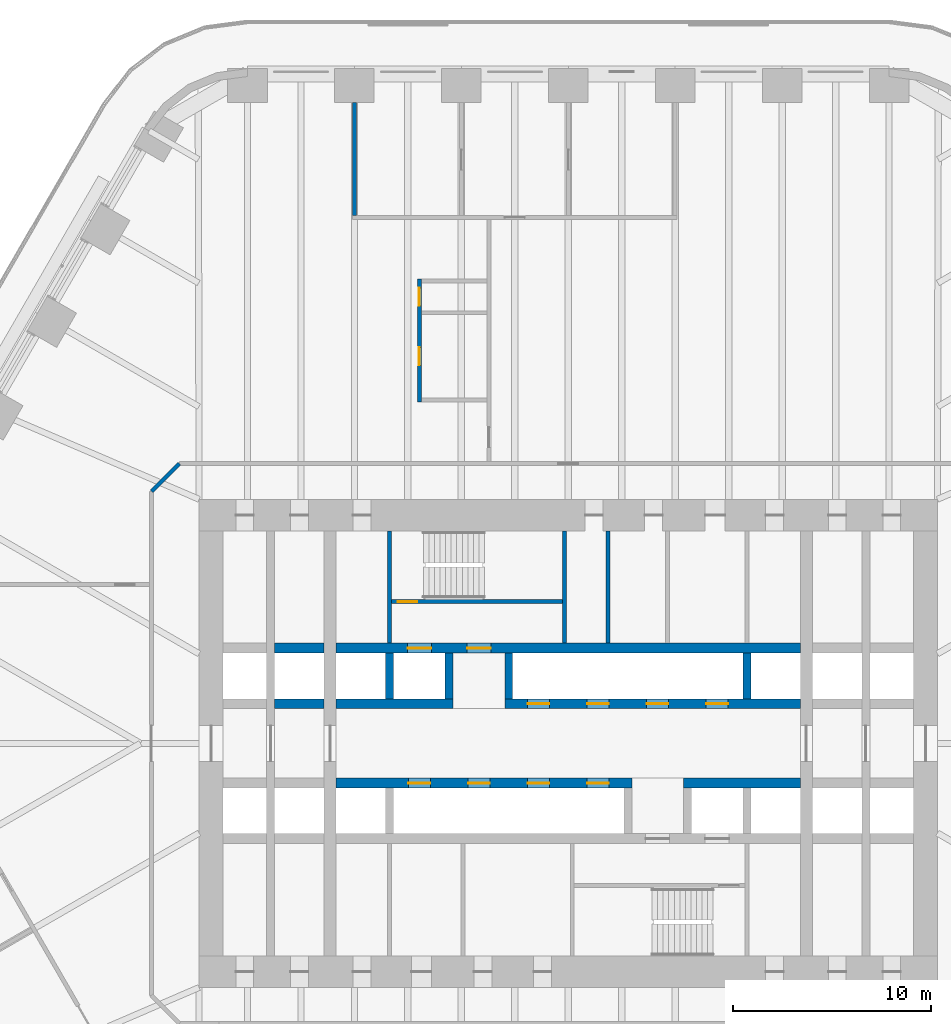
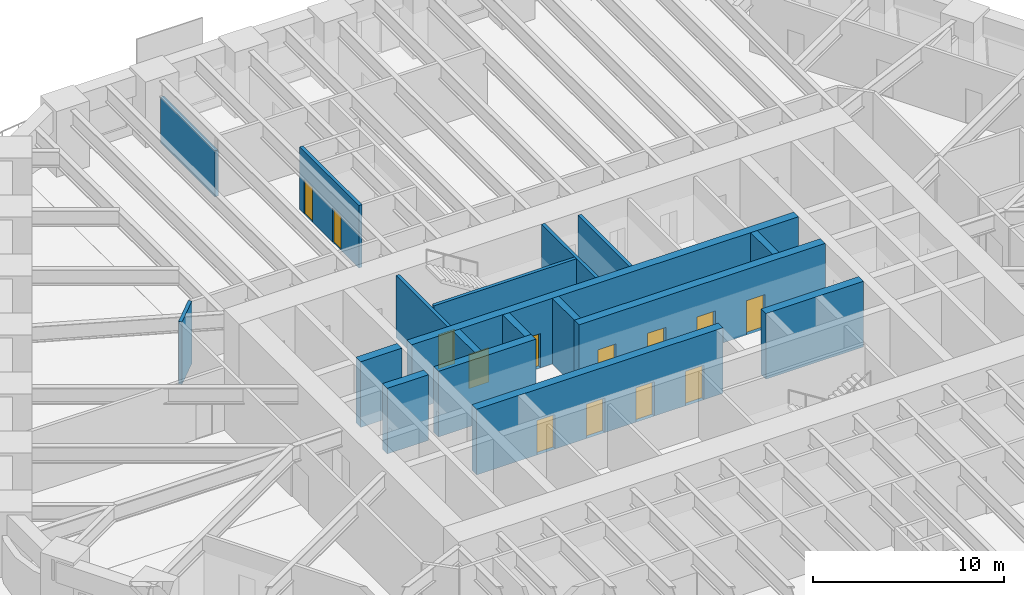
# One storey, part 18 of 24: 18 walls, 13 doors, 13 openings.
"""IFC4 building model written with IfcOpenShell, lengths in metres."""

from ifc_helpers import new_model, si_unit, direction, frame, frame_2d, origin, place, context, subcontext, project, spatial, rectangle, extrude, material, layer, layer_set, type_object, element, fill, save


model = new_model("IFC4")

# Units and contexts
model_context = context("Model", 3, precision=1e-05, world=origin(), true_north=direction((0.0, 1.0)))
body_context = subcontext(model_context, "Body", "Model", "MODEL_VIEW")
ifc_project = project(units=[si_unit("LENGTHUNIT", "METRE"), si_unit("AREAUNIT", "SQUARE_METRE"), si_unit("VOLUMEUNIT", "CUBIC_METRE"), si_unit("PLANEANGLEUNIT", "RADIAN"), si_unit("MASSUNIT", "GRAM", prefix="KILO")], contexts=[model_context])

# Site, building, storey
site_placement = place(None, origin())
site = spatial("IfcSite", under=ifc_project, at=site_placement, CompositionType="ELEMENT")
building_placement = place(site_placement, origin())
building = spatial("IfcBuilding", under=site, at=building_placement, Name="Tarfa Lantern Tower", CompositionType="ELEMENT")
storey_placement = place(building_placement, frame((0.0, 0.0, 73.89990234375)))
storey = spatial("IfcBuildingStorey", under=building, at=storey_placement, Name="L16", CompositionType="ELEMENT", Elevation=73.89990234375)

# Walls
ifc_material_1 = material(Name="Concrete blockwork", Category="masonry")
ifc_layer_1 = layer(ifc_material_1, 0.199951171875)
ifc_layer_set_1 = layer_set([ifc_layer_1], Name="IW1 BLOCKWORK PARTITION 200 EI 120")
wall_type_1 = type_object("IfcWallType", Name="IW1 BLOCKWORK PARTITION 200 EI 120", PredefinedType="PARTITIONING", material=ifc_layer_set_1)
for number, where, z_axis, x_axis, name in (
    (1, (-9.0, 5.050048828125, 0.0), (0.0, 0.0, 1.0), (0.0, 1.0, 0.0), "Core partition"),
    (2, (2.0, 5.050048828125, 0.0), (0.0, 0.0, 1.0), (0.0, 1.0, 0.0), "Core partition"),
):
    element("IfcWall", number, at=place(storey_placement, frame(where, z_axis=z_axis, x_axis=x_axis)), inside=storey, type_object=wall_type_1, Name=name, PredefinedType="PARTITIONING", context=body_context, shape_type="SweptSolid", body=[
        extrude(rectangle(XDim=5.64990234375, YDim=0.199951171875, at=frame_2d((2.824951171875, 0.0))), origin(), (0.0, 0.0, 1.0), 4.0),
    ])
ifc_material_2 = material(Name="Gypsum board on steel studs", Category="steel")
ifc_layer_2 = layer(ifc_material_2, 0.2099609375)
ifc_layer_set_2 = layer_set([ifc_layer_2], Name="IW2 ACOUSTIC PARTITION 200")
wall_type_2 = type_object("IfcWallType", Name="IW2 ACOUSTIC PARTITION 200", PredefinedType="PARTITIONING", material=ifc_layer_set_2)
wall_1_placement = place(storey_placement, frame((-10.777099609375, 26.60009765625, 0.0), z_axis=(0.0, 0.0, 1.0), x_axis=(0.0, 1.0, 0.0)))
element("IfcWall", 3, at=wall_1_placement, inside=storey, type_object=wall_type_2, Name="Partition", PredefinedType="PARTITIONING", context=body_context, shape_type="SweptSolid", body=[
    extrude(rectangle(XDim=5.699951171875, YDim=0.199951171875, at=frame_2d((2.85009765625, 0.0))), origin(), (0.0, 0.0, 1.0), 2.944091796875),
])
wall_2_placement = place(storey_placement, frame((-21.0, 12.699951171875, 0.0), z_axis=(0.0, 0.0, 1.0), x_axis=(0.707045124756, 0.707168432242, 0.0)))
element("IfcWall", 4, at=wall_2_placement, inside=storey, type_object=wall_type_2, Name="Partition", PredefinedType="PARTITIONING", context=body_context, shape_type="SweptSolid", body=[
    extrude(rectangle(XDim=1.97998046875, YDim=0.199951171875, at=frame_2d((0.989990234375, 0.0))), origin(), (0.0, 0.0, 1.0), 4.0),
])

# Wall, openings, doors
wall_3_placement = place(storey_placement, frame((-7.5, 17.199951171875, 0.0), z_axis=(0.0, 0.0, 1.0), x_axis=(0.0, 1.0, 0.0)))
wall_3 = element("IfcWall", 5, at=wall_3_placement, inside=storey, type_object=wall_type_2, Name="Partition", PredefinedType="PARTITIONING", context=body_context, shape_type="SweptSolid", body=[
    extrude(rectangle(XDim=6.199951171875, YDim=0.199951171875, at=frame_2d((3.10009765625, 0.0))), origin(), (0.0, 0.0, 1.0), 4.0),
])
opening_1_placement = place(wall_3_placement, frame((1.85009765625, 0.0, 0.0)))
opening_1 = element("IfcOpeningElement", 6, at=opening_1_placement, cuts=wall_3, Name="Opening D43", PredefinedType="OPENING", context=body_context, shape_type="SweptSolid", body=[
    extrude(rectangle(XDim=0.89990234375, YDim=2.199951171875, at=frame_2d((0.449951171875, 1.10009765625))), frame((0.0, 0.10986328125, 0.0), z_axis=(0.0, -1.0, 0.0), x_axis=(1.0, 0.0, 0.0)), (0.0, 0.0, 1.0), 0.219970703125),
])
opening_2_placement = place(wall_3_placement, frame((4.85009765625, 0.0, 0.0)))
opening_2 = element("IfcOpeningElement", 7, at=opening_2_placement, cuts=wall_3, Name="Opening D44", PredefinedType="OPENING", context=body_context, shape_type="SweptSolid", body=[
    extrude(rectangle(XDim=0.89990234375, YDim=2.199951171875, at=frame_2d((0.449951171875, 1.10009765625))), frame((0.0, 0.10986328125, 0.0), z_axis=(0.0, -1.0, 0.0), x_axis=(1.0, 0.0, 0.0)), (0.0, 0.0, 1.0), 0.219970703125),
])
ifc_material_3 = material(Name="Timber door", Category="wood")
door_type_1 = type_object("IfcDoorType", Name="DR3 ROOM DOOR 900x2200", OperationType="SINGLE_SWING_LEFT", PredefinedType="DOOR", material=ifc_material_3)
door_1_placement = place(opening_1_placement, frame((0.89990234375, 0.0, 0.0), z_axis=(0.0, 0.0, 1.0), x_axis=(-1.0, 0.0, 0.0)))
door_1 = element("IfcDoor", 8, at=door_1_placement, inside=storey, type_object=door_type_1, Name="Meeting room door", OperationType="SINGLE_SWING_LEFT", OverallHeight=2.199951171875, OverallWidth=0.89990234375, PredefinedType="DOOR", context=body_context, shape_type="SweptSolid", body=[
    extrude(rectangle(XDim=0.89990234375, YDim=2.199951171875, at=frame_2d((0.449951171875, 1.10009765625))), frame((0.0, 0.02490234375, 0.0), z_axis=(0.0, -1.0, 0.0), x_axis=(1.0, 0.0, 0.0)), (0.0, 0.0, 1.0), 0.050048828125),
])
fill(opening_1, door_1)
door_2_placement = place(opening_2_placement, frame((0.89990234375, 0.0, 0.0), z_axis=(0.0, 0.0, 1.0), x_axis=(-1.0, 0.0, 0.0)))
door_2 = element("IfcDoor", 9, at=door_2_placement, inside=storey, type_object=door_type_1, Name="Phone booth door", OperationType="SINGLE_SWING_RIGHT", OverallHeight=2.199951171875, OverallWidth=0.89990234375, PredefinedType="DOOR", context=body_context, shape_type="SweptSolid", body=[
    extrude(rectangle(XDim=0.89990234375, YDim=2.199951171875, at=frame_2d((0.449951171875, 1.10009765625))), frame((0.0, 0.02490234375, 0.0), z_axis=(0.0, -1.0, 0.0), x_axis=(1.0, 0.0, 0.0)), (0.0, 0.0, 1.0), 0.050048828125),
])
fill(opening_2, door_2)

# Wall
ifc_material_4 = material(Name="Concrete C80/95", Category="concrete")
ifc_layer_3 = layer(ifc_material_4, 0.199951171875)
ifc_layer_set_3 = layer_set([ifc_layer_3], Name="SW12 CORE WALL 200")
wall_type_3 = type_object("IfcWallType", Name="SW12 CORE WALL 200", PredefinedType="SHEAR", material=ifc_layer_set_3)
wall_4_placement = place(storey_placement, frame((-0.199951171875, 5.050048828125, 0.0), z_axis=(0.0, 0.0, 1.0), x_axis=(0.0, 1.0, 0.0)))
element("IfcWall", 10, at=wall_4_placement, inside=storey, type_object=wall_type_3, Name="Core wall stair shaft N", PredefinedType="SHEAR", context=body_context, shape_type="SweptSolid", body=[
    extrude(rectangle(XDim=5.64990234375, YDim=0.199951171875, at=frame_2d((2.824951171875, 0.0))), origin(), (0.0, 0.0, 1.0), 4.2001953125),
])

# Wall, opening, door
wall_5_placement = place(storey_placement, frame((-8.89990234375, 7.14990234375, 0.0), z_axis=(0.0, 0.0, 1.0), x_axis=(1.0, 0.0, 0.0)))
wall_5 = element("IfcWall", 11, at=wall_5_placement, inside=storey, type_object=wall_type_3, Name="Core wall stair partition N", PredefinedType="SHEAR", context=body_context, shape_type="SweptSolid", body=[
    extrude(rectangle(XDim=8.599853515625, YDim=0.199951171875, at=frame_2d((4.2998046875, 0.0))), origin(), (0.0, 0.0, 1.0), 4.2001953125),
])
opening_3_placement = place(wall_5_placement, frame((0.300048828125, 0.0, 0.0)))
opening_3 = element("IfcOpeningElement", 12, at=opening_3_placement, cuts=wall_5, Name="Opening D23", PredefinedType="OPENING", context=body_context, shape_type="SweptSolid", body=[
    extrude(rectangle(XDim=1.0, YDim=2.199951171875, at=frame_2d((0.5, 1.10009765625))), frame((0.0, 0.10986328125, 0.0), z_axis=(0.0, -1.0, 0.0), x_axis=(1.0, 0.0, 0.0)), (0.0, 0.0, 1.0), 0.219970703125),
])
ifc_material_5 = material(Name="Steel fire door", Category="steel")
door_type_2 = type_object("IfcDoorType", Name="DF2 STAIR DOOR 1000x2200", OperationType="SINGLE_SWING_LEFT", PredefinedType="DOOR", material=ifc_material_5)
door_3_placement = place(opening_3_placement, origin())
door_3 = element("IfcDoor", 13, at=door_3_placement, inside=storey, type_object=door_type_2, Name="Stair door", OperationType="SINGLE_SWING_RIGHT", OverallHeight=2.199951171875, OverallWidth=1.0, PredefinedType="DOOR", context=body_context, shape_type="SweptSolid", body=[
    extrude(rectangle(XDim=1.0, YDim=2.199951171875, at=frame_2d((0.5, 1.10009765625))), frame((0.0, 0.02490234375, 0.0), z_axis=(0.0, -1.0, 0.0), x_axis=(1.0, 0.0, 0.0)), (0.0, 0.0, 1.0), 0.050048828125),
])
fill(opening_3, door_3)

# Walls
ifc_layer_4 = layer(ifc_material_4, 0.5)
ifc_layer_set_4 = layer_set([ifc_layer_4], Name="SW5 CORE WALL 500")
wall_type_4 = type_object("IfcWallType", Name="SW5 CORE WALL 500", PredefinedType="SHEAR", material=ifc_layer_set_4)
wall_6_placement = place(storey_placement, frame((-14.800048828125, 2.0, 0.0), z_axis=(0.0, 0.0, 1.0), x_axis=(1.0, 0.0, 0.0)))
element("IfcWall", 14, at=wall_6_placement, inside=storey, type_object=wall_type_4, Name="Core wall lobby west N", PredefinedType="SHEAR", context=body_context, shape_type="SweptSolid", body=[
    extrude(rectangle(XDim=2.5, YDim=0.5, at=frame_2d((1.25, 0.0))), origin(), (0.0, 0.0, 1.0), 4.2001953125),
])
wall_7_placement = place(storey_placement, frame((-11.699951171875, 2.0, 0.0), z_axis=(0.0, 0.0, 1.0), x_axis=(1.0, 0.0, 0.0)))
element("IfcWall", 15, at=wall_7_placement, inside=storey, type_object=wall_type_4, Name="Core wall lobby west N", PredefinedType="SHEAR", context=body_context, shape_type="SweptSolid", body=[
    extrude(rectangle(XDim=5.89990234375, YDim=0.5, at=frame_2d((2.949951171875, 0.0))), origin(), (0.0, 0.0, 1.0), 4.2001953125),
])

# Wall, openings, doors
wall_8_placement = place(storey_placement, frame((-3.199951171875, 2.0, 0.0), z_axis=(0.0, 0.0, 1.0), x_axis=(1.0, 0.0, 0.0)))
wall_8 = element("IfcWall", 16, at=wall_8_placement, inside=storey, type_object=wall_type_4, Name="Core wall lobby east N", PredefinedType="SHEAR", context=body_context, shape_type="SweptSolid", body=[
    extrude(rectangle(XDim=14.89990234375, YDim=0.5, at=frame_2d((7.449951171875, 0.0))), origin(), (0.0, 0.0, 1.0), 4.2001953125),
])
opening_4_placement = place(wall_8_placement, frame((1.14990234375, 0.0, 0.0)))
opening_4 = element("IfcOpeningElement", 17, at=opening_4_placement, cuts=wall_8, Name="Opening LD03", PredefinedType="OPENING", context=body_context, shape_type="SweptSolid", body=[
    extrude(rectangle(XDim=1.10009765625, YDim=2.199951171875, at=frame_2d((0.550048828125, 1.10009765625))), frame((0.0, 0.260009765625, 0.0), z_axis=(0.0, -1.0, 0.0), x_axis=(1.0, 0.0, 0.0)), (0.0, 0.0, 1.0), 0.52001953125),
])
opening_5_placement = place(wall_8_placement, frame((4.14990234375, 0.0, 0.0)))
opening_5 = element("IfcOpeningElement", 18, at=opening_5_placement, cuts=wall_8, Name="Opening LD04", PredefinedType="OPENING", context=body_context, shape_type="SweptSolid", body=[
    extrude(rectangle(XDim=1.10009765625, YDim=2.199951171875, at=frame_2d((0.550048828125, 1.10009765625))), frame((0.0, 0.260009765625, 0.0), z_axis=(0.0, -1.0, 0.0), x_axis=(1.0, 0.0, 0.0)), (0.0, 0.0, 1.0), 0.52001953125),
])
opening_6_placement = place(wall_8_placement, frame((7.14990234375, 0.0, 0.0)))
opening_6 = element("IfcOpeningElement", 19, at=opening_6_placement, cuts=wall_8, Name="Opening LD05", PredefinedType="OPENING", context=body_context, shape_type="SweptSolid", body=[
    extrude(rectangle(XDim=1.10009765625, YDim=2.199951171875, at=frame_2d((0.550048828125, 1.10009765625))), frame((0.0, 0.260009765625, 0.0), z_axis=(0.0, -1.0, 0.0), x_axis=(1.0, 0.0, 0.0)), (0.0, 0.0, 1.0), 0.52001953125),
])
opening_7_placement = place(wall_8_placement, frame((10.14990234375, 0.0, 0.0)))
opening_7 = element("IfcOpeningElement", 20, at=opening_7_placement, cuts=wall_8, Name="Opening LD06", PredefinedType="OPENING", context=body_context, shape_type="SweptSolid", body=[
    extrude(rectangle(XDim=1.10009765625, YDim=2.199951171875, at=frame_2d((0.550048828125, 1.10009765625))), frame((0.0, 0.260009765625, 0.0), z_axis=(0.0, -1.0, 0.0), x_axis=(1.0, 0.0, 0.0)), (0.0, 0.0, 1.0), 0.52001953125),
])
ifc_material_6 = material(Name="Stainless steel lift door", Category="steel")
door_type_3 = type_object("IfcDoorType", Name="LD2 LIFT LANDING DOOR 1100x2200", OperationType="SLIDING_TO_LEFT", PredefinedType="DOOR", material=ifc_material_6)
door_4_placement = place(opening_4_placement, frame((1.10009765625, 0.0, 0.0), z_axis=(0.0, 0.0, 1.0), x_axis=(-1.0, 0.0, 0.0)))
door_4 = element("IfcDoor", 21, at=door_4_placement, inside=storey, type_object=door_type_3, Name="Landing door PA1", OperationType="SLIDING_TO_LEFT", OverallHeight=2.199951171875, OverallWidth=1.10009765625, PredefinedType="DOOR", context=body_context, shape_type="SweptSolid", body=[
    extrude(rectangle(XDim=1.10009765625, YDim=2.199951171875, at=frame_2d((0.550048828125, 1.10009765625))), frame((0.0, 0.02490234375, 0.0), z_axis=(0.0, -1.0, 0.0), x_axis=(1.0, 0.0, 0.0)), (0.0, 0.0, 1.0), 0.050048828125),
])
fill(opening_4, door_4)
door_5_placement = place(opening_5_placement, frame((1.10009765625, 0.0, 0.0), z_axis=(0.0, 0.0, 1.0), x_axis=(-1.0, 0.0, 0.0)))
door_5 = element("IfcDoor", 22, at=door_5_placement, inside=storey, type_object=door_type_3, Name="Landing door PA2", OperationType="SLIDING_TO_LEFT", OverallHeight=2.199951171875, OverallWidth=1.10009765625, PredefinedType="DOOR", context=body_context, shape_type="SweptSolid", body=[
    extrude(rectangle(XDim=1.10009765625, YDim=2.199951171875, at=frame_2d((0.550048828125, 1.10009765625))), frame((0.0, 0.02490234375, 0.0), z_axis=(0.0, -1.0, 0.0), x_axis=(1.0, 0.0, 0.0)), (0.0, 0.0, 1.0), 0.050048828125),
])
fill(opening_5, door_5)
door_6_placement = place(opening_6_placement, frame((1.10009765625, 0.0, 0.0), z_axis=(0.0, 0.0, 1.0), x_axis=(-1.0, 0.0, 0.0)))
door_6 = element("IfcDoor", 23, at=door_6_placement, inside=storey, type_object=door_type_3, Name="Landing door PA3", OperationType="SLIDING_TO_LEFT", OverallHeight=2.199951171875, OverallWidth=1.10009765625, PredefinedType="DOOR", context=body_context, shape_type="SweptSolid", body=[
    extrude(rectangle(XDim=1.10009765625, YDim=2.199951171875, at=frame_2d((0.550048828125, 1.10009765625))), frame((0.0, 0.02490234375, 0.0), z_axis=(0.0, -1.0, 0.0), x_axis=(1.0, 0.0, 0.0)), (0.0, 0.0, 1.0), 0.050048828125),
])
fill(opening_6, door_6)
door_7_placement = place(opening_7_placement, frame((1.10009765625, 0.0, 0.0), z_axis=(0.0, 0.0, 1.0), x_axis=(-1.0, 0.0, 0.0)))
door_7 = element("IfcDoor", 24, at=door_7_placement, inside=storey, type_object=door_type_3, Name="Landing door PA4", OperationType="SLIDING_TO_LEFT", OverallHeight=2.199951171875, OverallWidth=1.10009765625, PredefinedType="DOOR", context=body_context, shape_type="SweptSolid", body=[
    extrude(rectangle(XDim=1.10009765625, YDim=2.199951171875, at=frame_2d((0.550048828125, 1.10009765625))), frame((0.0, 0.02490234375, 0.0), z_axis=(0.0, -1.0, 0.0), x_axis=(1.0, 0.0, 0.0)), (0.0, 0.0, 1.0), 0.050048828125),
])
fill(opening_7, door_7)

# Wall
wall_9_placement = place(storey_placement, frame((-14.800048828125, 4.800048828125, 0.0), z_axis=(0.0, 0.0, 1.0), x_axis=(1.0, 0.0, 0.0)))
element("IfcWall", 25, at=wall_9_placement, inside=storey, type_object=wall_type_4, Name="Core wall rear N", PredefinedType="SHEAR", context=body_context, shape_type="SweptSolid", body=[
    extrude(rectangle(XDim=2.5, YDim=0.5, at=frame_2d((1.25, 0.0))), origin(), (0.0, 0.0, 1.0), 4.2001953125),
])

# Wall, openings, doors
wall_10_placement = place(storey_placement, frame((-11.699951171875, 4.800048828125, 0.0), z_axis=(0.0, 0.0, 1.0), x_axis=(1.0, 0.0, 0.0)))
wall_10 = element("IfcWall", 26, at=wall_10_placement, inside=storey, type_object=wall_type_4, Name="Core wall rear N", PredefinedType="SHEAR", context=body_context, shape_type="SweptSolid", body=[
    extrude(rectangle(XDim=23.39990234375, YDim=0.5, at=frame_2d((11.699951171875, 0.0))), origin(), (0.0, 0.0, 1.0), 4.2001953125),
])
opening_8_placement = place(wall_10_placement, frame((6.60009765625, 0.0, 0.0)))
opening_8 = element("IfcOpeningElement", 27, at=opening_8_placement, cuts=wall_10, Name="Opening D13", PredefinedType="OPENING", context=body_context, shape_type="SweptSolid", body=[
    extrude(rectangle(XDim=1.199951171875, YDim=2.199951171875, at=frame_2d((0.60009765625, 1.10009765625))), frame((0.0, 0.260009765625, 0.0), z_axis=(0.0, -1.0, 0.0), x_axis=(1.0, 0.0, 0.0)), (0.0, 0.0, 1.0), 0.52001953125),
])
opening_9_placement = place(wall_10_placement, frame((3.60009765625, 0.0, 0.0)))
opening_9 = element("IfcOpeningElement", 28, at=opening_9_placement, cuts=wall_10, Name="Opening LD01", PredefinedType="OPENING", context=body_context, shape_type="SweptSolid", body=[
    extrude(rectangle(XDim=1.199951171875, YDim=2.199951171875, at=frame_2d((0.60009765625, 1.10009765625))), frame((0.0, 0.260009765625, 0.0), z_axis=(0.0, -1.0, 0.0), x_axis=(1.0, 0.0, 0.0)), (0.0, 0.0, 1.0), 0.52001953125),
])
door_type_4 = type_object("IfcDoorType", Name="DF1 FIREFIGHTING LOBBY DOOR 1200x2200", OperationType="SINGLE_SWING_LEFT", PredefinedType="DOOR", material=ifc_material_5)
door_8_placement = place(opening_8_placement, origin())
door_8 = element("IfcDoor", 29, at=door_8_placement, inside=storey, type_object=door_type_4, Name="Firefighting lobby door", OperationType="SINGLE_SWING_LEFT", OverallHeight=2.199951171875, OverallWidth=1.199951171875, PredefinedType="DOOR", context=body_context, shape_type="SweptSolid", body=[
    extrude(rectangle(XDim=1.199951171875, YDim=2.199951171875, at=frame_2d((0.60009765625, 1.10009765625))), frame((0.0, 0.02490234375, 0.0), z_axis=(0.0, -1.0, 0.0), x_axis=(1.0, 0.0, 0.0)), (0.0, 0.0, 1.0), 0.050048828125),
])
fill(opening_8, door_8)
door_type_5 = type_object("IfcDoorType", Name="LD1 LIFT LANDING DOOR 1200x2200", OperationType="SLIDING_TO_LEFT", PredefinedType="DOOR", material=ifc_material_6)
door_9_placement = place(opening_9_placement, origin())
door_9 = element("IfcDoor", 30, at=door_9_placement, inside=storey, type_object=door_type_5, Name="Landing door FL1", OperationType="SLIDING_TO_LEFT", OverallHeight=2.199951171875, OverallWidth=1.199951171875, PredefinedType="DOOR", context=body_context, shape_type="SweptSolid", body=[
    extrude(rectangle(XDim=1.199951171875, YDim=2.199951171875, at=frame_2d((0.60009765625, 1.10009765625))), frame((0.0, 0.02490234375, 0.0), z_axis=(0.0, -1.0, 0.0), x_axis=(1.0, 0.0, 0.0)), (0.0, 0.0, 1.0), 0.050048828125),
])
fill(opening_9, door_9)

# Wall
wall_11_placement = place(storey_placement, frame((11.699951171875, -2.0, 0.0), z_axis=(0.0, 0.0, 1.0), x_axis=(-1.0, 0.0, 0.0)))
element("IfcWall", 31, at=wall_11_placement, inside=storey, type_object=wall_type_4, Name="Core wall lobby west S", PredefinedType="SHEAR", context=body_context, shape_type="SweptSolid", body=[
    extrude(rectangle(XDim=5.89990234375, YDim=0.5, at=frame_2d((2.949951171875, 0.0))), origin(), (0.0, 0.0, 1.0), 4.2001953125),
])

# Wall, openings, doors
wall_12_placement = place(storey_placement, frame((3.199951171875, -2.0, 0.0), z_axis=(0.0, 0.0, 1.0), x_axis=(-1.0, 0.0, 0.0)))
wall_12 = element("IfcWall", 32, at=wall_12_placement, inside=storey, type_object=wall_type_4, Name="Core wall lobby east S", PredefinedType="SHEAR", context=body_context, shape_type="SweptSolid", body=[
    extrude(rectangle(XDim=14.89990234375, YDim=0.5, at=frame_2d((7.449951171875, 0.0))), origin(), (0.0, 0.0, 1.0), 4.2001953125),
])
opening_10_placement = place(wall_12_placement, frame((1.14990234375, 0.0, 0.0)))
opening_10 = element("IfcOpeningElement", 33, at=opening_10_placement, cuts=wall_12, Name="Opening LD07", PredefinedType="OPENING", context=body_context, shape_type="SweptSolid", body=[
    extrude(rectangle(XDim=1.10009765625, YDim=2.199951171875, at=frame_2d((0.550048828125, 1.10009765625))), frame((0.0, 0.260009765625, 0.0), z_axis=(0.0, -1.0, 0.0), x_axis=(1.0, 0.0, 0.0)), (0.0, 0.0, 1.0), 0.52001953125),
])
opening_11_placement = place(wall_12_placement, frame((4.14990234375, 0.0, 0.0)))
opening_11 = element("IfcOpeningElement", 34, at=opening_11_placement, cuts=wall_12, Name="Opening LD08", PredefinedType="OPENING", context=body_context, shape_type="SweptSolid", body=[
    extrude(rectangle(XDim=1.10009765625, YDim=2.199951171875, at=frame_2d((0.550048828125, 1.10009765625))), frame((0.0, 0.260009765625, 0.0), z_axis=(0.0, -1.0, 0.0), x_axis=(1.0, 0.0, 0.0)), (0.0, 0.0, 1.0), 0.52001953125),
])
opening_12_placement = place(wall_12_placement, frame((7.14990234375, 0.0, 0.0)))
opening_12 = element("IfcOpeningElement", 35, at=opening_12_placement, cuts=wall_12, Name="Opening LD09", PredefinedType="OPENING", context=body_context, shape_type="SweptSolid", body=[
    extrude(rectangle(XDim=1.10009765625, YDim=2.199951171875, at=frame_2d((0.550048828125, 1.10009765625))), frame((0.0, 0.260009765625, 0.0), z_axis=(0.0, -1.0, 0.0), x_axis=(1.0, 0.0, 0.0)), (0.0, 0.0, 1.0), 0.52001953125),
])
opening_13_placement = place(wall_12_placement, frame((10.14990234375, 0.0, 0.0)))
opening_13 = element("IfcOpeningElement", 36, at=opening_13_placement, cuts=wall_12, Name="Opening LD10", PredefinedType="OPENING", context=body_context, shape_type="SweptSolid", body=[
    extrude(rectangle(XDim=1.10009765625, YDim=2.199951171875, at=frame_2d((0.550048828125, 1.10009765625))), frame((0.0, 0.260009765625, 0.0), z_axis=(0.0, -1.0, 0.0), x_axis=(1.0, 0.0, 0.0)), (0.0, 0.0, 1.0), 0.52001953125),
])
door_10_placement = place(opening_10_placement, frame((1.10009765625, 0.0, 0.0), z_axis=(0.0, 0.0, 1.0), x_axis=(-1.0, 0.0, 0.0)))
door_10 = element("IfcDoor", 37, at=door_10_placement, inside=storey, type_object=door_type_3, Name="Landing door PA5", OperationType="SLIDING_TO_LEFT", OverallHeight=2.199951171875, OverallWidth=1.10009765625, PredefinedType="DOOR", context=body_context, shape_type="SweptSolid", body=[
    extrude(rectangle(XDim=1.10009765625, YDim=2.199951171875, at=frame_2d((0.550048828125, 1.10009765625))), frame((0.0, 0.02490234375, 0.0), z_axis=(0.0, -1.0, 0.0), x_axis=(1.0, 0.0, 0.0)), (0.0, 0.0, 1.0), 0.050048828125),
])
fill(opening_10, door_10)
door_11_placement = place(opening_11_placement, frame((1.10009765625, 0.0, 0.0), z_axis=(0.0, 0.0, 1.0), x_axis=(-1.0, 0.0, 0.0)))
door_11 = element("IfcDoor", 38, at=door_11_placement, inside=storey, type_object=door_type_3, Name="Landing door PA6", OperationType="SLIDING_TO_LEFT", OverallHeight=2.199951171875, OverallWidth=1.10009765625, PredefinedType="DOOR", context=body_context, shape_type="SweptSolid", body=[
    extrude(rectangle(XDim=1.10009765625, YDim=2.199951171875, at=frame_2d((0.550048828125, 1.10009765625))), frame((0.0, 0.02490234375, 0.0), z_axis=(0.0, -1.0, 0.0), x_axis=(1.0, 0.0, 0.0)), (0.0, 0.0, 1.0), 0.050048828125),
])
fill(opening_11, door_11)
door_12_placement = place(opening_12_placement, frame((1.10009765625, 0.0, 0.0), z_axis=(0.0, 0.0, 1.0), x_axis=(-1.0, 0.0, 0.0)))
door_12 = element("IfcDoor", 39, at=door_12_placement, inside=storey, type_object=door_type_3, Name="Landing door PA7", OperationType="SLIDING_TO_LEFT", OverallHeight=2.199951171875, OverallWidth=1.10009765625, PredefinedType="DOOR", context=body_context, shape_type="SweptSolid", body=[
    extrude(rectangle(XDim=1.10009765625, YDim=2.199951171875, at=frame_2d((0.550048828125, 1.10009765625))), frame((0.0, 0.02490234375, 0.0), z_axis=(0.0, -1.0, 0.0), x_axis=(1.0, 0.0, 0.0)), (0.0, 0.0, 1.0), 0.050048828125),
])
fill(opening_12, door_12)
door_13_placement = place(opening_13_placement, frame((1.10009765625, 0.0, 0.0), z_axis=(0.0, 0.0, 1.0), x_axis=(-1.0, 0.0, 0.0)))
door_13 = element("IfcDoor", 40, at=door_13_placement, inside=storey, type_object=door_type_3, Name="Landing door PA8", OperationType="SLIDING_TO_LEFT", OverallHeight=2.199951171875, OverallWidth=1.10009765625, PredefinedType="DOOR", context=body_context, shape_type="SweptSolid", body=[
    extrude(rectangle(XDim=1.10009765625, YDim=2.199951171875, at=frame_2d((0.550048828125, 1.10009765625))), frame((0.0, 0.02490234375, 0.0), z_axis=(0.0, -1.0, 0.0), x_axis=(1.0, 0.0, 0.0)), (0.0, 0.0, 1.0), 0.050048828125),
])
fill(opening_13, door_13)

# Walls
ifc_layer_5 = layer(ifc_material_4, 0.39990234375)
ifc_layer_set_5 = layer_set([ifc_layer_5], Name="SW6 CORE WALL 400")
wall_type_5 = type_object("IfcWallType", Name="SW6 CORE WALL 400", PredefinedType="SHEAR", material=ifc_layer_set_5)
for number, where, z_axis, x_axis, name in (
    (41, (-9.0, 2.25, 0.0), (0.0, 0.0, 1.0), (0.0, 1.0, 0.0), "Core wall divider N"),
    (42, (-6.0, 2.25, 0.0), (0.0, 0.0, 1.0), (0.0, 1.0, 0.0), "Core wall divider N"),
    (43, (-3.0, 2.25, 0.0), (0.0, 0.0, 1.0), (0.0, 1.0, 0.0), "Core wall divider N"),
    (44, (9.0, 2.25, 0.0), (0.0, 0.0, 1.0), (0.0, 1.0, 0.0), "Core wall divider N"),
):
    element("IfcWall", number, at=place(storey_placement, frame(where, z_axis=z_axis, x_axis=x_axis)), inside=storey, type_object=wall_type_5, Name=name, PredefinedType="SHEAR", context=body_context, shape_type="SweptSolid", body=[
        extrude(rectangle(XDim=2.300048828125, YDim=0.39990234375, at=frame_2d((1.14990234375, 0.0))), origin(), (0.0, 0.0, 1.0), 4.2001953125),
    ])

save(model, "model.ifc")
